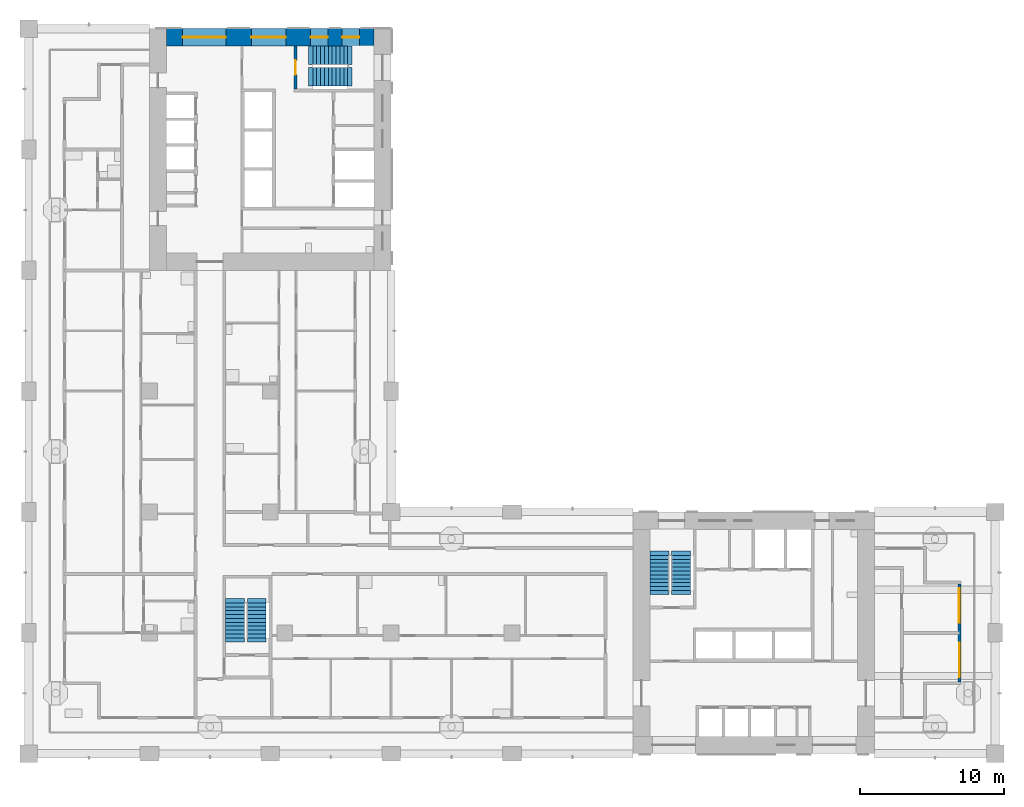
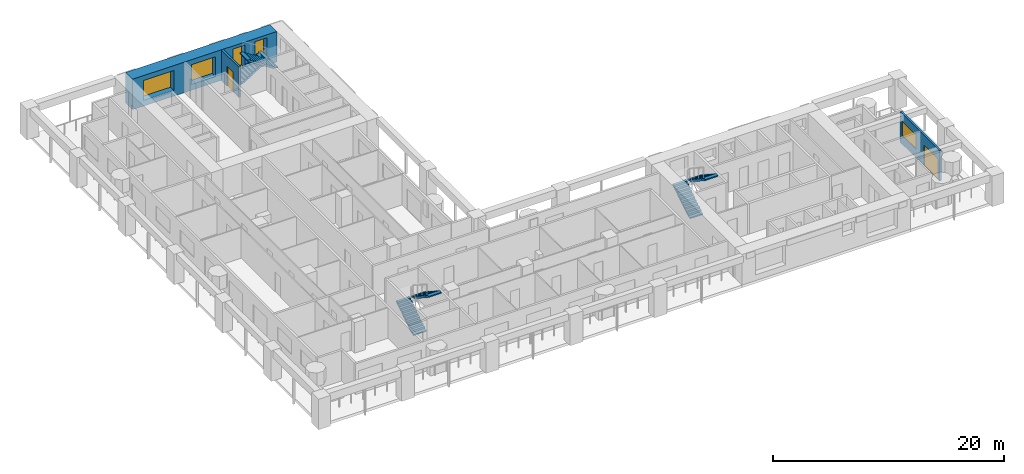
# One storey, part 8 of 18: 6 stair flights, 5 windows, 3 walls, 2 doors, 7 openings, 3 elements without a shape of their own.
"""IFC4 building model written with IfcOpenShell, lengths in metres."""

from ifc_helpers import new_model, si_unit, direction, frame, frame_2d, origin, place, context, subcontext, project, spatial, polyline, rectangle, outline, extrude, material, layer, layer_set, type_object, element, fill, aggregate, save


model = new_model("IFC4")

# Units and contexts
model_context = context("Model", 3, precision=1e-05, world=origin(), true_north=direction((0.0, 1.0)))
body_context = subcontext(model_context, "Body", "Model", "MODEL_VIEW")
ifc_project = project(units=[si_unit("LENGTHUNIT", "METRE"), si_unit("AREAUNIT", "SQUARE_METRE"), si_unit("VOLUMEUNIT", "CUBIC_METRE"), si_unit("PLANEANGLEUNIT", "RADIAN"), si_unit("MASSUNIT", "GRAM", prefix="KILO")], contexts=[model_context])

# Site, building, storey
site_placement = place(None, origin())
site = spatial("IfcSite", under=ifc_project, at=site_placement, CompositionType="ELEMENT")
building_placement = place(site_placement, origin())
building = spatial("IfcBuilding", under=site, at=building_placement, Name="Vermilion Gate Residences", CompositionType="ELEMENT")
storey_placement = place(building_placement, frame((0.0, 0.0, 109.199951171875)))
storey = spatial("IfcBuildingStorey", under=building, at=storey_placement, Name="L27", CompositionType="ELEMENT", Elevation=109.199951171875)

# Wall, openings, door, window
ifc_material_1 = material(Name="Insulated steel stud wall with terracotta rainscreen", Category="masonry")
ifc_layer_1 = layer(ifc_material_1, 0.199951171875)
ifc_layer_set_1 = layer_set([ifc_layer_1], Name="EXTERNAL WALL 200 TERRACOTTA RAINSCREEN")
wall_type_1 = type_object("IfcWallType", Name="EXTERNAL WALL 200 TERRACOTTA RAINSCREEN", PredefinedType="SOLIDWALL", material=ifc_layer_set_1)
wall_1_placement = place(storey_placement, frame((64.699951171875, 13.39990234375, 0.0), z_axis=(0.0, 0.0, 1.0), x_axis=(0.0, 1.0, 0.0)))
wall_1 = element("IfcWall", 1, at=wall_1_placement, inside=storey, type_object=wall_type_1, Name="External wall", PredefinedType="SOLIDWALL", context=body_context, shape_type="SweptSolid", body=[
    extrude(rectangle(XDim=6.800048828125, YDim=0.199951171875, at=frame_2d((3.39990234375, 0.0))), origin(), (0.0, 0.0, 1.0), 3.219970703125),
])
opening_1_placement = place(wall_1_placement, frame((4.10009765625, 0.0, 0.89990234375)))
opening_1 = element("IfcOpeningElement", 2, at=opening_1_placement, cuts=wall_1, Name="Opening WE27022", PredefinedType="OPENING", context=body_context, shape_type="SweptSolid", body=[
    extrude(rectangle(XDim=2.39990234375, YDim=1.5, at=frame_2d((1.199951171875, 0.75))), frame((0.0, 0.10986328125, 0.0), z_axis=(0.0, -1.0, 0.0), x_axis=(1.0, 0.0, 0.0)), (0.0, 0.0, 1.0), 0.219970703125),
])
opening_2_placement = place(wall_1_placement, frame((0.300048828125, 0.0, 0.0)))
opening_2 = element("IfcOpeningElement", 3, at=opening_2_placement, cuts=wall_1, Name="Opening DE27028", PredefinedType="OPENING", context=body_context, shape_type="SweptSolid", body=[
    extrude(rectangle(XDim=2.39990234375, YDim=2.199951171875, at=frame_2d((1.199951171875, 1.10009765625))), frame((0.0, 0.10986328125, 0.0), z_axis=(0.0, -1.0, 0.0), x_axis=(1.0, 0.0, 0.0)), (0.0, 0.0, 1.0), 0.219970703125),
])
ifc_material_2 = material(Name="Aluminium and clear glass", Category="aluminium")
door_type_1 = type_object("IfcDoorType", Name="SLIDING GLAZED DOOR 2400 X 2200", OperationType="DOUBLE_DOOR_SLIDING", PredefinedType="DOOR", material=ifc_material_2)
door_1_placement = place(opening_2_placement, origin())
door_1 = element("IfcDoor", 4, at=door_1_placement, inside=storey, type_object=door_type_1, Name="Loggia sliding door", OperationType="DOUBLE_DOOR_SLIDING", OverallHeight=2.199951171875, OverallWidth=2.39990234375, PredefinedType="DOOR", context=body_context, shape_type="SweptSolid", body=[
    extrude(rectangle(XDim=2.39990234375, YDim=2.199951171875, at=frame_2d((1.199951171875, 1.10009765625))), frame((0.0, 0.02490234375, 0.0), z_axis=(0.0, -1.0, 0.0), x_axis=(1.0, 0.0, 0.0)), (0.0, 0.0, 1.0), 0.050048828125),
])
fill(opening_2, door_1)
ifc_material_3 = material(Name="Aluminium and clear glass", Category="aluminium")
window_type_1 = type_object("IfcWindowType", Name="WINDOW 2400 X 1500", PartitioningType="SINGLE_PANEL", PredefinedType="WINDOW", material=ifc_material_3)
window_1_placement = place(opening_1_placement, origin())
window_1 = element("IfcWindow", 5, at=window_1_placement, inside=storey, type_object=window_type_1, Name="Window", OverallHeight=1.5, OverallWidth=2.39990234375, PartitioningType="SINGLE_PANEL", PredefinedType="WINDOW", context=body_context, shape_type="SweptSolid", body=[
    extrude(rectangle(XDim=2.39990234375, YDim=1.5, at=frame_2d((1.199951171875, 0.75))), frame((0.0, 0.030029296875, 0.0), z_axis=(0.0, -1.0, 0.0), x_axis=(1.0, 0.0, 0.0)), (0.0, 0.0, 1.0), 0.06005859375),
])
fill(opening_1, window_1)

# Wall, opening, door
ifc_material_4 = material(Name="Concrete C60", Category="concrete")
ifc_layer_2 = layer(ifc_material_4, 0.199951171875)
ifc_layer_set_2 = layer_set([ifc_layer_2], Name="RC CORE INTERNAL WALL 200 C60")
wall_type_2 = type_object("IfcWallType", Name="RC CORE INTERNAL WALL 200 C60", PredefinedType="SHEAR", material=ifc_layer_set_2)
wall_2_placement = place(storey_placement, frame((18.550048828125, 57.60009765625, 0.0), z_axis=(0.0, 0.0, 1.0), x_axis=(0.0, -1.0, 0.0)))
wall_2 = element("IfcWall", 6, at=wall_2_placement, inside=storey, type_object=wall_type_2, Name="Core internal wall B27-STW-S", PredefinedType="SHEAR", context=body_context, shape_type="SweptSolid", body=[
    extrude(rectangle(XDim=3.0, YDim=0.199951171875, at=frame_2d((1.5, 0.0))), origin(), (0.0, 0.0, 1.0), 3.219970703125),
])
opening_3_placement = place(wall_2_placement, frame((1.0, 0.0, 0.0)))
opening_3 = element("IfcOpeningElement", 7, at=opening_3_placement, cuts=wall_2, Name="Opening DK27114", PredefinedType="OPENING", context=body_context, shape_type="SweptSolid", body=[
    extrude(rectangle(XDim=1.0, YDim=2.10009765625, at=frame_2d((0.5, 1.050048828125))), frame((0.0, 0.10986328125, 0.0), z_axis=(0.0, -1.0, 0.0), x_axis=(1.0, 0.0, 0.0)), (0.0, 0.0, 1.0), 0.219970703125),
])
ifc_material_5 = material(Name="Steel", Category="steel")
door_type_2 = type_object("IfcDoorType", Name="FIRE DOOR FD60 1000 X 2100", OperationType="SINGLE_SWING_LEFT", PredefinedType="DOOR", material=ifc_material_5)
door_2_placement = place(opening_3_placement, origin())
door_2 = element("IfcDoor", 8, at=door_2_placement, inside=storey, type_object=door_type_2, Name="Stair door B27", OperationType="SINGLE_SWING_LEFT", OverallHeight=2.10009765625, OverallWidth=1.0, PredefinedType="DOOR", context=body_context, shape_type="SweptSolid", body=[
    extrude(rectangle(XDim=1.0, YDim=2.10009765625, at=frame_2d((0.5, 1.050048828125))), frame((0.0, 0.02490234375, 0.0), z_axis=(0.0, -1.0, 0.0), x_axis=(1.0, 0.0, 0.0)), (0.0, 0.0, 1.0), 0.050048828125),
])
fill(opening_3, door_2)

# Wall, openings, windows
ifc_material_6 = material(Name="Concrete C70 red-oxide pigmented", Category="concrete")
ifc_layer_3 = layer(ifc_material_6, 1.199951171875)
ifc_layer_set_3 = layer_set([ifc_layer_3], Name="RC CORE WALL 1200 C70 RED OXIDE")
wall_type_3 = type_object("IfcWallType", Name="RC CORE WALL 1200 C70 RED OXIDE", PredefinedType="SHEAR", material=ifc_layer_set_3)
wall_3_placement = place(storey_placement, frame((9.60009765625, 58.199951171875, 0.0), z_axis=(0.0, 0.0, 1.0), x_axis=(1.0, 0.0, 0.0)))
wall_3 = element("IfcWall", 9, at=wall_3_placement, inside=storey, type_object=wall_type_3, Name="Core wall B27-OUT-FR", PredefinedType="SHEAR", context=body_context, shape_type="SweptSolid", body=[
    extrude(rectangle(XDim=14.39990234375, YDim=1.199951171875, at=frame_2d((7.199951171875, 0.0))), origin(), (0.0, 0.0, 1.0), 3.219970703125),
])
opening_4_placement = place(wall_3_placement, frame((1.10498046875, 0.0, 0.60009765625)))
opening_4 = element("IfcOpeningElement", 10, at=opening_4_placement, cuts=wall_3, Name="Opening WKB2706", PredefinedType="OPENING", context=body_context, shape_type="SweptSolid", body=[
    extrude(rectangle(XDim=3.0, YDim=2.10009765625, at=frame_2d((1.5, 1.050048828125))), frame((0.0, 0.60986328125, 0.0), z_axis=(0.0, -1.0, 0.0), x_axis=(1.0, 0.0, 0.0)), (0.0, 0.0, 1.0), 1.219970703125),
])
opening_5_placement = place(wall_3_placement, frame((5.875, 0.0, 0.60009765625)))
opening_5 = element("IfcOpeningElement", 11, at=opening_5_placement, cuts=wall_3, Name="Opening WKB2707", PredefinedType="OPENING", context=body_context, shape_type="SweptSolid", body=[
    extrude(rectangle(XDim=2.39990234375, YDim=2.10009765625, at=frame_2d((1.199951171875, 1.050048828125))), frame((0.0, 0.60986328125, 0.0), z_axis=(0.0, -1.0, 0.0), x_axis=(1.0, 0.0, 0.0)), (0.0, 0.0, 1.0), 1.219970703125),
])
opening_6_placement = place(wall_3_placement, frame((9.993408203125, 0.0, 0.5)))
opening_6 = element("IfcOpeningElement", 12, at=opening_6_placement, cuts=wall_3, Name="Opening WKB2708", PredefinedType="OPENING", context=body_context, shape_type="SweptSolid", body=[
    extrude(rectangle(XDim=1.199951171875, YDim=2.39990234375, at=frame_2d((0.60009765625, 1.199951171875))), frame((0.0, 0.60986328125, 0.0), z_axis=(0.0, -1.0, 0.0), x_axis=(1.0, 0.0, 0.0)), (0.0, 0.0, 1.0), 1.219970703125),
])
opening_7_placement = place(wall_3_placement, frame((12.19677734375, 0.0, 0.5)))
opening_7 = element("IfcOpeningElement", 13, at=opening_7_placement, cuts=wall_3, Name="Opening WKB2709", PredefinedType="OPENING", context=body_context, shape_type="SweptSolid", body=[
    extrude(rectangle(XDim=1.199951171875, YDim=2.39990234375, at=frame_2d((0.60009765625, 1.199951171875))), frame((0.0, 0.60986328125, 0.0), z_axis=(0.0, -1.0, 0.0), x_axis=(1.0, 0.0, 0.0)), (0.0, 0.0, 1.0), 1.219970703125),
])
ifc_material_7 = material(Name="Aluminium and clear glass", Category="aluminium")
window_type_2 = type_object("IfcWindowType", Name="CORE LOBBY WINDOW 2400 X 2100", PartitioningType="SINGLE_PANEL", PredefinedType="WINDOW", material=ifc_material_7)
window_2_placement = place(opening_5_placement, origin())
window_2 = element("IfcWindow", 14, at=window_2_placement, inside=storey, type_object=window_type_2, Name="Core lobby window", OverallHeight=2.10009765625, OverallWidth=2.39990234375, PartitioningType="SINGLE_PANEL", PredefinedType="WINDOW", context=body_context, shape_type="SweptSolid", body=[
    extrude(rectangle(XDim=2.39990234375, YDim=2.10009765625, at=frame_2d((1.199951171875, 1.050048828125))), frame((0.0, 0.030029296875, 0.0), z_axis=(0.0, -1.0, 0.0), x_axis=(1.0, 0.0, 0.0)), (0.0, 0.0, 1.0), 0.06005859375),
])
fill(opening_5, window_2)
ifc_material_8 = material(Name="Aluminium and clear glass", Category="aluminium")
window_type_3 = type_object("IfcWindowType", Name="CORE LOBBY WINDOW 3000 X 2100", PartitioningType="SINGLE_PANEL", PredefinedType="WINDOW", material=ifc_material_8)
window_3_placement = place(opening_4_placement, origin())
window_3 = element("IfcWindow", 15, at=window_3_placement, inside=storey, type_object=window_type_3, Name="Core lobby window", OverallHeight=2.10009765625, OverallWidth=3.0, PartitioningType="SINGLE_PANEL", PredefinedType="WINDOW", context=body_context, shape_type="SweptSolid", body=[
    extrude(rectangle(XDim=3.0, YDim=2.10009765625, at=frame_2d((1.5, 1.050048828125))), frame((0.0, 0.030029296875, 0.0), z_axis=(0.0, -1.0, 0.0), x_axis=(1.0, 0.0, 0.0)), (0.0, 0.0, 1.0), 0.06005859375),
])
fill(opening_4, window_3)
ifc_material_9 = material(Name="Aluminium and clear glass", Category="aluminium")
window_type_4 = type_object("IfcWindowType", Name="CORE STAIR WINDOW 1200 X 2400", PartitioningType="SINGLE_PANEL", PredefinedType="WINDOW", material=ifc_material_9)
window_4_placement = place(opening_6_placement, origin())
window_4 = element("IfcWindow", 16, at=window_4_placement, inside=storey, type_object=window_type_4, Name="Core stair window", OverallHeight=2.39990234375, OverallWidth=1.199951171875, PartitioningType="SINGLE_PANEL", PredefinedType="WINDOW", context=body_context, shape_type="SweptSolid", body=[
    extrude(rectangle(XDim=1.199951171875, YDim=2.39990234375, at=frame_2d((0.60009765625, 1.199951171875))), frame((0.0, 0.030029296875, 0.0), z_axis=(0.0, -1.0, 0.0), x_axis=(1.0, 0.0, 0.0)), (0.0, 0.0, 1.0), 0.06005859375),
])
fill(opening_6, window_4)
window_5_placement = place(opening_7_placement, origin())
window_5 = element("IfcWindow", 17, at=window_5_placement, inside=storey, type_object=window_type_4, Name="Core stair window", OverallHeight=2.39990234375, OverallWidth=1.199951171875, PartitioningType="SINGLE_PANEL", PredefinedType="WINDOW", context=body_context, shape_type="SweptSolid", body=[
    extrude(rectangle(XDim=1.199951171875, YDim=2.39990234375, at=frame_2d((0.60009765625, 1.199951171875))), frame((0.0, 0.030029296875, 0.0), z_axis=(0.0, -1.0, 0.0), x_axis=(1.0, 0.0, 0.0)), (0.0, 0.0, 1.0), 0.06005859375),
])
fill(opening_7, window_5)

# Stair, stair flights
ifc_material_10 = material(Name="Concrete C50", Category="concrete")
stair_type = type_object("IfcStairType", Name="SPECIAL ESCAPE STAIR 1300", PredefinedType="HALF_TURN_STAIR", material=ifc_material_10)
stair_1_placement = place(storey_placement, origin())
stair_1 = element("IfcStair", 18, at=stair_1_placement, inside=storey, type_object=stair_type, Name="Special escape stair STA1-27", PredefinedType="HALF_TURN_STAIR")
ifc_material_11 = material(Name="Concrete C50", Category="concrete")
stair_flight_type = type_object("IfcStairFlightType", Name="STAIR FLIGHT 1300 RC C50", PredefinedType="STRAIGHT", material=ifc_material_11)
stair_flight_1_placement = place(storey_placement, frame((43.85009765625, 19.75, 0.0), z_axis=(0.0, 0.0, 1.0), x_axis=(0.0, 1.0, 0.0)))
stair_flight_1 = element("IfcStairFlight", 19, at=stair_flight_1_placement, type_object=stair_flight_type, Name="STA1-27 flight 1", NumberOfRisers=10, NumberOfTreads=9, PredefinedType="STRAIGHT", RiserHeight=0.175, TreadLength=0.27, context=body_context, shape_type="SweptSolid", body=[
    extrude(outline(polyline([(-0.300048828125, -0.14990234375), (-0.300048828125, -0.030029296875), (0.0, 0.0), (0.0, 0.175048828125), (0.27001953125, 0.175048828125), (0.27001953125, 0.35009765625), (0.5400390625, 0.35009765625), (0.5400390625, 0.52490234375), (0.81005859375, 0.52490234375), (0.81005859375, 0.699951171875), (1.080078125, 0.699951171875), (1.080078125, 0.875), (1.35009765625, 0.875), (1.35009765625, 1.050048828125), (1.6201171875, 1.050048828125), (1.6201171875, 1.22509765625), (1.889892578125, 1.22509765625), (1.889892578125, 1.39990234375), (2.159912109375, 1.39990234375), (2.159912109375, 1.574951171875), (2.429931640625, 1.574951171875), (2.429931640625, 1.75), (2.72998046875, 1.719970703125), (2.72998046875, 1.60009765625), (2.429931640625, 1.396484375), (0.275634765625, 0.0), (-0.300048828125, -0.14990234375)])), frame((0.0, 0.64990234375, 0.0), z_axis=(0.0, -1.0, 0.0), x_axis=(1.0, 0.0, 0.0)), (0.0, 0.0, 1.0), 1.300048828125),
])
stair_flight_2_placement = place(storey_placement, frame((45.35009765625, 22.179931640625, 1.75), z_axis=(0.0, 0.0, 1.0), x_axis=(0.0, -1.0, 0.0)))
stair_flight_2 = element("IfcStairFlight", 20, at=stair_flight_2_placement, type_object=stair_flight_type, Name="STA1-27 flight 2", NumberOfRisers=10, NumberOfTreads=9, PredefinedType="STRAIGHT", RiserHeight=0.175, TreadLength=0.27, context=body_context, shape_type="SweptSolid", body=[
    extrude(outline(polyline([(-0.300048828125, -0.14990234375), (-0.300048828125, -0.030029296875), (0.0, 0.0), (0.0, 0.175048828125), (0.27001953125, 0.175048828125), (0.27001953125, 0.35009765625), (0.5400390625, 0.35009765625), (0.5400390625, 0.52490234375), (0.81005859375, 0.52490234375), (0.81005859375, 0.699951171875), (1.080078125, 0.699951171875), (1.080078125, 0.875), (1.35009765625, 0.875), (1.35009765625, 1.050048828125), (1.6201171875, 1.050048828125), (1.6201171875, 1.22509765625), (1.889892578125, 1.22509765625), (1.889892578125, 1.39990234375), (2.159912109375, 1.39990234375), (2.159912109375, 1.574951171875), (2.429931640625, 1.574951171875), (2.429931640625, 1.75), (2.72998046875, 1.719970703125), (2.72998046875, 1.60009765625), (2.429931640625, 1.396484375), (0.275634765625, 0.0), (-0.300048828125, -0.14990234375)])), frame((0.0, 0.64990234375, 0.0), z_axis=(0.0, -1.0, 0.0), x_axis=(1.0, 0.0, 0.0)), (0.0, 0.0, 1.0), 1.300048828125),
])
aggregate(stair_1, [stair_flight_1, stair_flight_2])

stair_2_placement = place(storey_placement, origin())
stair_2 = element("IfcStair", 21, at=stair_2_placement, inside=storey, type_object=stair_type, Name="Special escape stair STB1-27", PredefinedType="HALF_TURN_STAIR")
stair_flight_3_placement = place(storey_placement, frame((19.75, 56.949951171875, 0.0), z_axis=(0.0, 0.0, 1.0), x_axis=(1.0, 0.0, 0.0)))
stair_flight_3 = element("IfcStairFlight", 22, at=stair_flight_3_placement, type_object=stair_flight_type, Name="STB1-27 flight 1", NumberOfRisers=10, NumberOfTreads=9, PredefinedType="STRAIGHT", RiserHeight=0.175, TreadLength=0.27, context=body_context, shape_type="SweptSolid", body=[
    extrude(outline(polyline([(-0.300048828125, -0.14990234375), (-0.300048828125, -0.030029296875), (0.0, 0.0), (0.0, 0.175048828125), (0.27001953125, 0.175048828125), (0.27001953125, 0.35009765625), (0.5400390625, 0.35009765625), (0.5400390625, 0.52490234375), (0.81005859375, 0.52490234375), (0.81005859375, 0.699951171875), (1.080078125, 0.699951171875), (1.080078125, 0.875), (1.35009765625, 0.875), (1.35009765625, 1.050048828125), (1.6201171875, 1.050048828125), (1.6201171875, 1.22509765625), (1.889892578125, 1.22509765625), (1.889892578125, 1.39990234375), (2.159912109375, 1.39990234375), (2.159912109375, 1.574951171875), (2.429931640625, 1.574951171875), (2.429931640625, 1.75), (2.72998046875, 1.719970703125), (2.72998046875, 1.60009765625), (2.429931640625, 1.396484375), (0.275634765625, 0.0), (-0.300048828125, -0.14990234375)])), frame((0.0, 0.64990234375, 0.0), z_axis=(0.0, -1.0, 0.0), x_axis=(1.0, 0.0, 0.0)), (0.0, 0.0, 1.0), 1.300048828125),
])
stair_flight_4_placement = place(storey_placement, frame((22.179931640625, 55.449951171875, 1.75), z_axis=(0.0, 0.0, 1.0), x_axis=(-1.0, 0.0, 0.0)))
stair_flight_4 = element("IfcStairFlight", 23, at=stair_flight_4_placement, type_object=stair_flight_type, Name="STB1-27 flight 2", NumberOfRisers=10, NumberOfTreads=9, PredefinedType="STRAIGHT", RiserHeight=0.175, TreadLength=0.27, context=body_context, shape_type="SweptSolid", body=[
    extrude(outline(polyline([(-0.300048828125, -0.14990234375), (-0.300048828125, -0.030029296875), (0.0, 0.0), (0.0, 0.175048828125), (0.27001953125, 0.175048828125), (0.27001953125, 0.35009765625), (0.5400390625, 0.35009765625), (0.5400390625, 0.52490234375), (0.81005859375, 0.52490234375), (0.81005859375, 0.699951171875), (1.080078125, 0.699951171875), (1.080078125, 0.875), (1.35009765625, 0.875), (1.35009765625, 1.050048828125), (1.6201171875, 1.050048828125), (1.6201171875, 1.22509765625), (1.889892578125, 1.22509765625), (1.889892578125, 1.39990234375), (2.159912109375, 1.39990234375), (2.159912109375, 1.574951171875), (2.429931640625, 1.574951171875), (2.429931640625, 1.75), (2.72998046875, 1.719970703125), (2.72998046875, 1.60009765625), (2.429931640625, 1.396484375), (0.275634765625, 0.0), (-0.300048828125, -0.14990234375)])), frame((0.0, 0.64990234375, 0.0), z_axis=(0.0, -1.0, 0.0), x_axis=(1.0, 0.0, 0.0)), (0.0, 0.0, 1.0), 1.300048828125),
])
aggregate(stair_2, [stair_flight_3, stair_flight_4])

stair_3_placement = place(storey_placement, origin())
stair_3 = element("IfcStair", 24, at=stair_3_placement, inside=storey, type_object=stair_type, Name="Special escape stair STC1-27", PredefinedType="HALF_TURN_STAIR")
stair_flight_5_placement = place(storey_placement, frame((14.35009765625, 16.449951171875, 0.0), z_axis=(0.0, 0.0, 1.0), x_axis=(0.0, 1.0, 0.0)))
stair_flight_5 = element("IfcStairFlight", 25, at=stair_flight_5_placement, type_object=stair_flight_type, Name="STC1-27 flight 1", NumberOfRisers=10, NumberOfTreads=9, PredefinedType="STRAIGHT", RiserHeight=0.175, TreadLength=0.27, context=body_context, shape_type="SweptSolid", body=[
    extrude(outline(polyline([(-0.300048828125, -0.14990234375), (-0.300048828125, -0.030029296875), (0.0, 0.0), (0.0, 0.175048828125), (0.27001953125, 0.175048828125), (0.27001953125, 0.35009765625), (0.5400390625, 0.35009765625), (0.5400390625, 0.52490234375), (0.81005859375, 0.52490234375), (0.81005859375, 0.699951171875), (1.080078125, 0.699951171875), (1.080078125, 0.875), (1.35009765625, 0.875), (1.35009765625, 1.050048828125), (1.6201171875, 1.050048828125), (1.6201171875, 1.22509765625), (1.889892578125, 1.22509765625), (1.889892578125, 1.39990234375), (2.159912109375, 1.39990234375), (2.159912109375, 1.574951171875), (2.429931640625, 1.574951171875), (2.429931640625, 1.75), (2.72998046875, 1.719970703125), (2.72998046875, 1.60009765625), (2.429931640625, 1.396484375), (0.275634765625, 0.0), (-0.300048828125, -0.14990234375)])), frame((0.0, 0.64990234375, 0.0), z_axis=(0.0, -1.0, 0.0), x_axis=(1.0, 0.0, 0.0)), (0.0, 0.0, 1.0), 1.300048828125),
])
stair_flight_6_placement = place(storey_placement, frame((15.85009765625, 18.8798828125, 1.75), z_axis=(0.0, 0.0, 1.0), x_axis=(0.0, -1.0, 0.0)))
stair_flight_6 = element("IfcStairFlight", 26, at=stair_flight_6_placement, type_object=stair_flight_type, Name="STC1-27 flight 2", NumberOfRisers=10, NumberOfTreads=9, PredefinedType="STRAIGHT", RiserHeight=0.175, TreadLength=0.27, context=body_context, shape_type="SweptSolid", body=[
    extrude(outline(polyline([(-0.300048828125, -0.14990234375), (-0.300048828125, -0.030029296875), (0.0, 0.0), (0.0, 0.175048828125), (0.27001953125, 0.175048828125), (0.27001953125, 0.35009765625), (0.5400390625, 0.35009765625), (0.5400390625, 0.52490234375), (0.81005859375, 0.52490234375), (0.81005859375, 0.699951171875), (1.080078125, 0.699951171875), (1.080078125, 0.875), (1.35009765625, 0.875), (1.35009765625, 1.050048828125), (1.6201171875, 1.050048828125), (1.6201171875, 1.22509765625), (1.889892578125, 1.22509765625), (1.889892578125, 1.39990234375), (2.159912109375, 1.39990234375), (2.159912109375, 1.574951171875), (2.429931640625, 1.574951171875), (2.429931640625, 1.75), (2.72998046875, 1.719970703125), (2.72998046875, 1.60009765625), (2.429931640625, 1.396484375), (0.275634765625, 0.0), (-0.300048828125, -0.14990234375)])), frame((0.0, 0.64990234375, 0.0), z_axis=(0.0, -1.0, 0.0), x_axis=(1.0, 0.0, 0.0)), (0.0, 0.0, 1.0), 1.300048828125),
])
aggregate(stair_3, [stair_flight_5, stair_flight_6])

save(model, "model.ifc")
